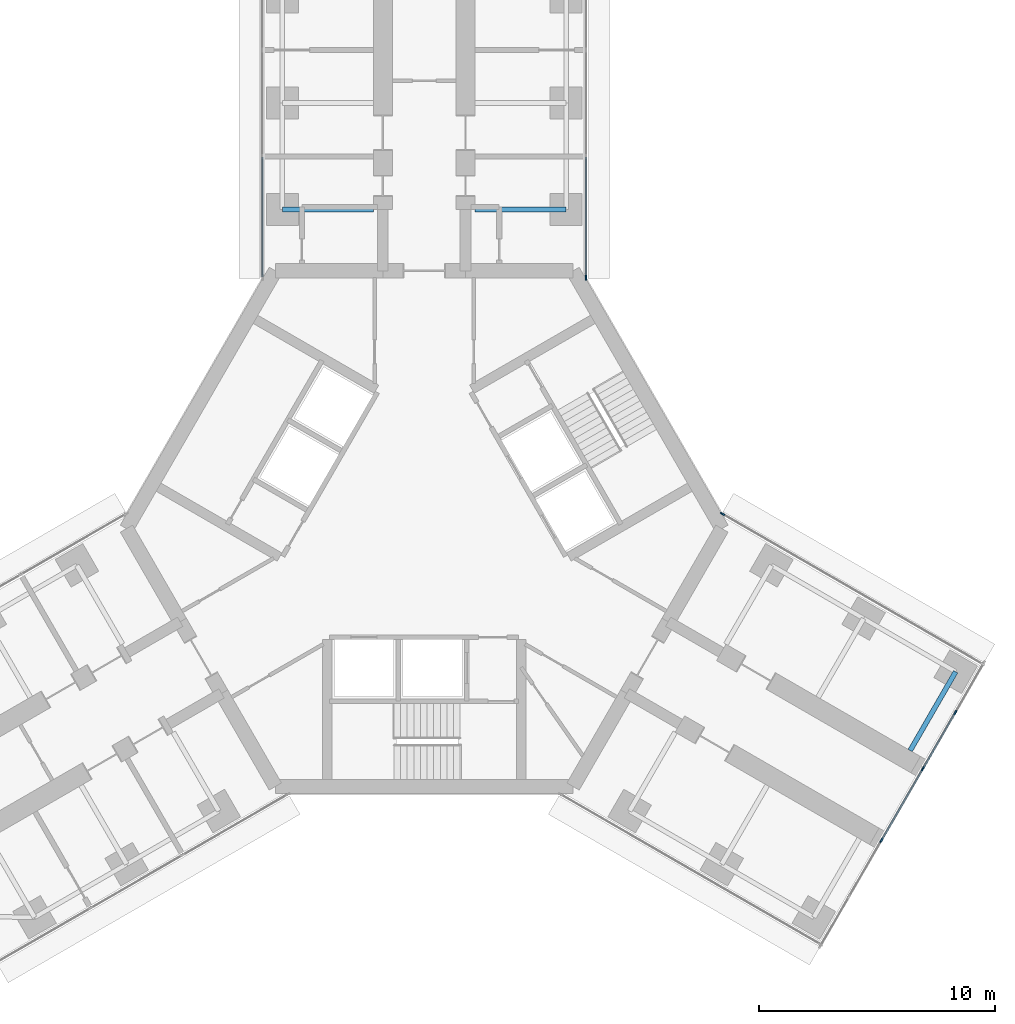
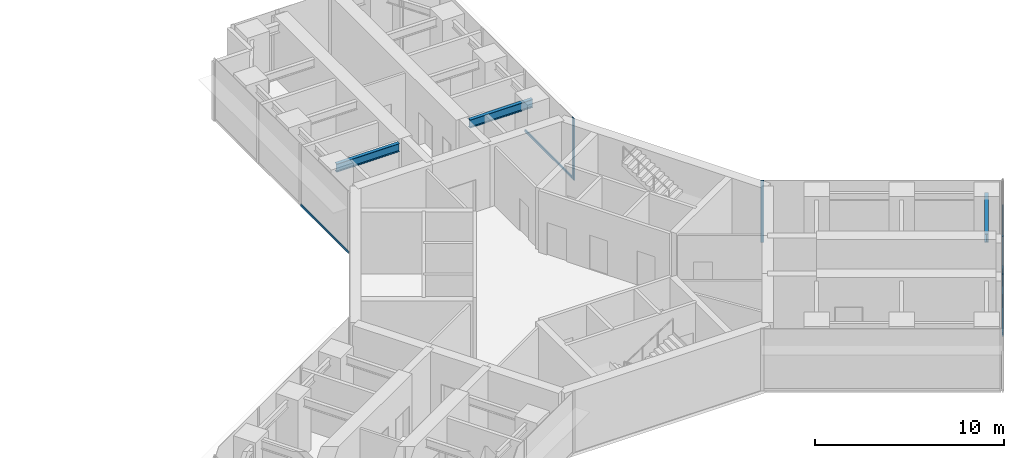
# One storey, part 10 of 21: 9 members, 3 beams, 4 elements without a shape of their own.
"""IFC4 building model written with IfcOpenShell, lengths in metres."""

from ifc_helpers import new_model, si_unit, direction, frame, origin, origin_2d, place, context, subcontext, project, spatial, rectangle, i_section, extrude, material, material_profile, profile_set, type_object, element, aggregate, save


model = new_model("IFC4")

# Units and contexts
model_context = context("Model", 3, precision=1e-05, world=origin(), true_north=direction((0.0, 1.0)))
body_context = subcontext(model_context, "Body", "Model", "MODEL_VIEW")
ifc_project = project(units=[si_unit("LENGTHUNIT", "METRE"), si_unit("AREAUNIT", "SQUARE_METRE"), si_unit("VOLUMEUNIT", "CUBIC_METRE"), si_unit("PLANEANGLEUNIT", "RADIAN"), si_unit("MASSUNIT", "GRAM", prefix="KILO")], contexts=[model_context])

# Site, building, storey
site_placement = place(None, origin())
site = spatial("IfcSite", under=ifc_project, at=site_placement, CompositionType="ELEMENT")
building_placement = place(site_placement, origin())
building = spatial("IfcBuilding", under=site, at=building_placement, Name="Upepo Twin Towers", CompositionType="ELEMENT")
storey_placement = place(building_placement, frame((0.0, 0.0, 117.5)))
storey = spatial("IfcBuildingStorey", under=building, at=storey_placement, Name="L28", CompositionType="ELEMENT", Elevation=117.5)

# Beams
ifc_material_1 = material(Name="Steel S355", Category="steel")
ifc_material_profile_1 = material_profile(ifc_material_1, i_section(OverallWidth=0.209228515625, OverallDepth=0.533203125, WebThickness=0.010009765625, FlangeThickness=0.015625, FilletRadius=0.0126953125, at=origin_2d()), Name="UB 533x210x92")
ifc_profile_set_1 = profile_set([ifc_material_profile_1], Name="Steel S355")
beam_type = type_object("IfcBeamType", Name="Beam UB 533x210x92", PredefinedType="BEAM", material=ifc_profile_set_1)
for number, where, z_axis, x_axis, name in (
    (1, (52.5, -4.5, 3.533447265625), (1.0, 0.0, 0.0), (0.0, 1.0, 0.0), "T2 girder AL at 13.5"),
    (2, (64.5, -4.5, 3.533447265625), (-1.0, 0.0, 0.0), (0.0, -1.0, 0.0), "T2 girder AR at 13.5"),
):
    element("IfcBeam", number, at=place(storey_placement, frame(where, z_axis=z_axis, x_axis=x_axis)), inside=storey, type_object=beam_type, Name=name, PredefinedType="BEAM", context=body_context, shape_type="SweptSolid", body=[
        extrude(i_section(OverallWidth=0.209228515625, OverallDepth=0.533203125, WebThickness=0.010009765625, FlangeThickness=0.015625, FilletRadius=0.0126953125, at=origin_2d()), origin(), (0.0, 0.0, 1.0), 3.85009765625),
    ])
beam_placement = place(storey_placement, frame((80.985595703125, -24.053955078125, 3.533447265625), z_axis=(-0.500033517596, -0.866006051527, 0.0), x_axis=(0.866006051527, -0.500033517596, 0.0)))
element("IfcBeam", 3, at=beam_placement, inside=storey, type_object=beam_type, Name="T2 girder CL at 22.5", PredefinedType="BEAM", context=body_context, shape_type="SweptSolid", body=[
    extrude(i_section(OverallWidth=0.209228515625, OverallDepth=0.533203125, WebThickness=0.010009765625, FlangeThickness=0.015625, FilletRadius=0.0126953125, at=origin_2d()), origin(), (0.0, 0.0, 1.0), 3.849853515625),
])

# Curtain wall, member
ifc_material_2 = material(Name="Aluminium and fritted glass", Category="aluminium")
curtain_wall_type = type_object("IfcCurtainWallType", Name="Tower curtain wall TW2, fritted glass", PredefinedType="NOTDEFINED", material=ifc_material_2)
curtain_wall_1_placement = place(storey_placement, origin())
curtain_wall_1 = element("IfcCurtainWall", 4, at=curtain_wall_1_placement, inside=storey, type_object=curtain_wall_type, Name="T2 L28 wing A flank R curtain wall", PredefinedType="NOTDEFINED")
ifc_material_3 = material(Name="Aluminium mullion", Category="aluminium")
ifc_material_profile_2 = material_profile(ifc_material_3, rectangle(XDim=0.06494140625, YDim=0.199951171875, at=origin_2d()), Name="MULLION 65x200")
ifc_profile_set_2 = profile_set([ifc_material_profile_2], Name="Aluminium mullion")
member_type_1 = type_object("IfcMemberType", Name="Mullion 65x200 TW2", PredefinedType="MULLION", material=ifc_profile_set_2)
member_1_placement = place(storey_placement, frame((65.35009765625, -7.38037109375, 0.0), z_axis=(0.0, 0.0, 1.0), x_axis=(1.0, 0.0, 0.0)))
member_1 = element("IfcMember", 5, at=member_1_placement, type_object=member_type_1, Name="T2 L28 wing A flank R curtain wall mullion 4", PredefinedType="MULLION", context=body_context, shape_type="SweptSolid", body=[
    extrude(rectangle(XDim=0.06494140625, YDim=0.199951171875, at=origin_2d()), origin(), (0.0, 0.0, 1.0), 4.0),
])

curtain_wall_2_placement = place(storey_placement, origin())
curtain_wall_2 = element("IfcCurtainWall", 6, at=curtain_wall_2_placement, inside=storey, type_object=curtain_wall_type, Name="T2 L28 wing C flank L curtain wall", PredefinedType="NOTDEFINED")
member_2_placement = place(storey_placement, frame((71.121826171875, -17.37744140625, 0.0), z_axis=(0.0, 0.0, 1.0), x_axis=(0.50000000792, 0.866025399212, 0.0)))
member_2 = element("IfcMember", 7, at=member_2_placement, type_object=member_type_1, Name="T2 L28 wing C flank L curtain wall mullion 1", PredefinedType="MULLION", context=body_context, shape_type="SweptSolid", body=[
    extrude(rectangle(XDim=0.06494140625, YDim=0.199951171875, at=origin_2d()), origin(), (0.0, 0.0, 1.0), 4.0),
])
aggregate(curtain_wall_2, [member_2])

# Curtain wall, members
curtain_wall_3_placement = place(storey_placement, origin())
curtain_wall_3 = element("IfcCurtainWall", 8, at=curtain_wall_3_placement, inside=storey, type_object=curtain_wall_type, Name="T2 L28 wing C nose curtain wall", PredefinedType="NOTDEFINED")
member_3_placement = place(storey_placement, frame((77.8466796875, -31.1904296875, 0.0), z_axis=(0.0, 0.0, 1.0), x_axis=(-0.866025419745, 0.499999972355, 0.0)))
member_3 = element("IfcMember", 9, at=member_3_placement, type_object=member_type_1, Name="T2 L28 wing C nose curtain wall mullion 3", PredefinedType="MULLION", context=body_context, shape_type="SweptSolid", body=[
    extrude(rectangle(XDim=0.06494140625, YDim=0.199951171875, at=origin_2d()), origin(), (0.0, 0.0, 1.0), 4.0),
])
member_4_placement = place(storey_placement, frame((79.5966796875, -28.159423828125, 0.0), z_axis=(0.0, 0.0, 1.0), x_axis=(-0.866025419745, 0.499999972355, 0.0)))
member_4 = element("IfcMember", 10, at=member_4_placement, type_object=member_type_1, Name="T2 L28 wing C nose curtain wall mullion 4", PredefinedType="MULLION", context=body_context, shape_type="SweptSolid", body=[
    extrude(rectangle(XDim=0.06494140625, YDim=0.199951171875, at=origin_2d()), origin(), (0.0, 0.0, 1.0), 4.0),
])
member_5_placement = place(storey_placement, frame((80.9716796875, -25.77783203125, 0.0), z_axis=(0.0, 0.0, 1.0), x_axis=(-0.866025419745, 0.499999972355, 0.0)))
member_5 = element("IfcMember", 11, at=member_5_placement, type_object=member_type_1, Name="T2 L28 wing C nose curtain wall mullion 5", PredefinedType="MULLION", context=body_context, shape_type="SweptSolid", body=[
    extrude(rectangle(XDim=0.06494140625, YDim=0.199951171875, at=origin_2d()), origin(), (0.0, 0.0, 1.0), 4.0),
])

# Curtain wall, member
curtain_wall_4_placement = place(storey_placement, origin())
curtain_wall_4 = element("IfcCurtainWall", 12, at=curtain_wall_4_placement, inside=storey, type_object=curtain_wall_type, Name="T2 L28 wing A flank L curtain wall", PredefinedType="NOTDEFINED")
ifc_material_4 = material(Name="Aluminium transom", Category="aluminium")
ifc_material_profile_3 = material_profile(ifc_material_4, rectangle(XDim=0.06494140625, YDim=0.14990234375, at=origin_2d()), Name="TRANSOM 65x150")
ifc_profile_set_3 = profile_set([ifc_material_profile_3], Name="Aluminium transom")
member_type_2 = type_object("IfcMemberType", Name="Transom 65x150 TW2", PredefinedType="USERDEFINED", material=ifc_profile_set_3)
member_6_placement = place(storey_placement, frame((51.64990234375, -7.347900390625, 0.074951171875), z_axis=(0.0, 1.0, 0.0), x_axis=(-1.0, 0.0, 0.0)))
member_6 = element("IfcMember", 13, at=member_6_placement, type_object=member_type_2, Name="T2 L28 wing A flank L curtain wall transom 1", ObjectType="TRANSOM", PredefinedType="USERDEFINED", context=body_context, shape_type="SweptSolid", body=[
    extrude(rectangle(XDim=0.06494140625, YDim=0.14990234375, at=origin_2d()), origin(), (0.0, 0.0, 1.0), 5.0654296875),
])
aggregate(curtain_wall_4, [member_6])

# Member
member_7_placement = place(storey_placement, frame((65.35009765625, -2.282470703125, 0.074951171875), z_axis=(0.0, -1.0, 0.0), x_axis=(1.0, 0.0, 0.0)))
member_7 = element("IfcMember", 14, at=member_7_placement, type_object=member_type_2, Name="T2 L28 wing A flank R curtain wall transom 3", ObjectType="TRANSOM", PredefinedType="USERDEFINED", context=body_context, shape_type="SweptSolid", body=[
    extrude(rectangle(XDim=0.06494140625, YDim=0.14990234375, at=origin_2d()), origin(), (0.0, 0.0, 1.0), 5.0654296875),
])

aggregate(curtain_wall_1, [member_1, member_7])

member_8_placement = place(storey_placement, frame((77.863037109375, -31.162353515625, 0.074951171875), z_axis=(0.499945997713, 0.866056579774, 0.0), x_axis=(-0.866056579774, 0.499945997713, 0.0)))
member_8 = element("IfcMember", 15, at=member_8_placement, type_object=member_type_2, Name="T2 L28 wing C nose curtain wall transom 3", ObjectType="TRANSOM", PredefinedType="USERDEFINED", context=body_context, shape_type="SweptSolid", body=[
    extrude(rectangle(XDim=0.06494140625, YDim=0.14990234375, at=origin_2d()), origin(), (0.0, 0.0, 1.0), 3.43505859375),
])

member_9_placement = place(storey_placement, frame((79.613037109375, -28.13134765625, 0.074951171875), z_axis=(0.49995335277, 0.8660523339, 0.0), x_axis=(-0.8660523339, 0.49995335277, 0.0)))
member_9 = element("IfcMember", 16, at=member_9_placement, type_object=member_type_2, Name="T2 L28 wing C nose curtain wall transom 4", ObjectType="TRANSOM", PredefinedType="USERDEFINED", context=body_context, shape_type="SweptSolid", body=[
    extrude(rectangle(XDim=0.06494140625, YDim=0.14990234375, at=origin_2d()), origin(), (0.0, 0.0, 1.0), 2.684814453125),
])

aggregate(curtain_wall_3, [member_3, member_4, member_5, member_8, member_9])

save(model, "model.ifc")
